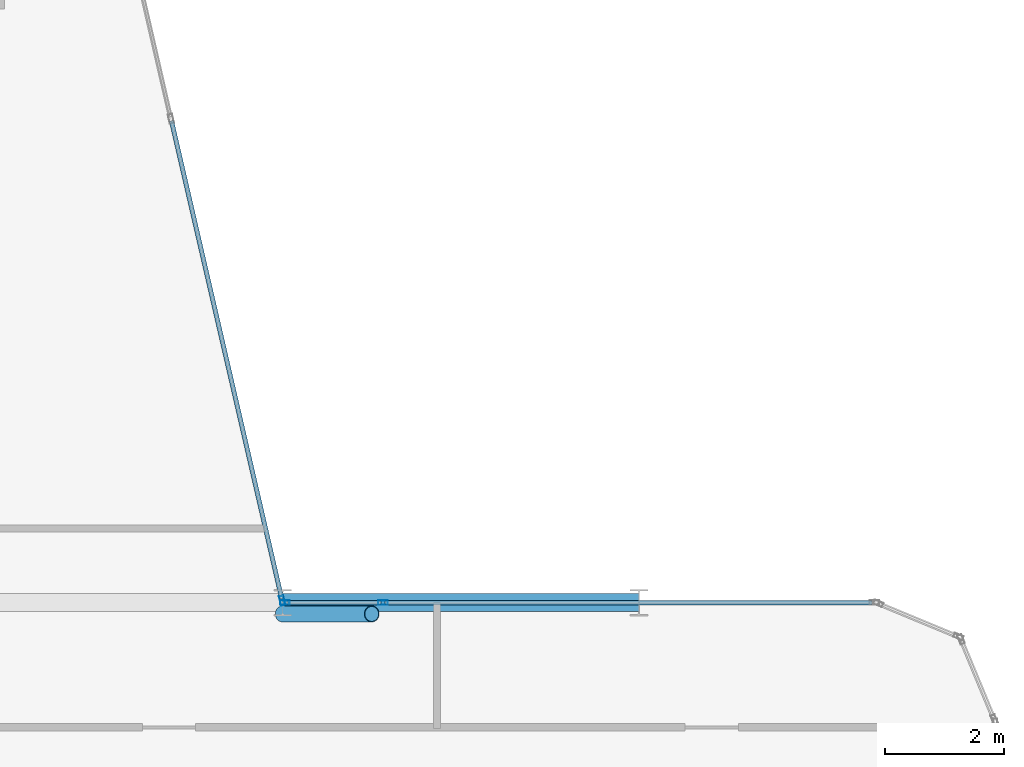
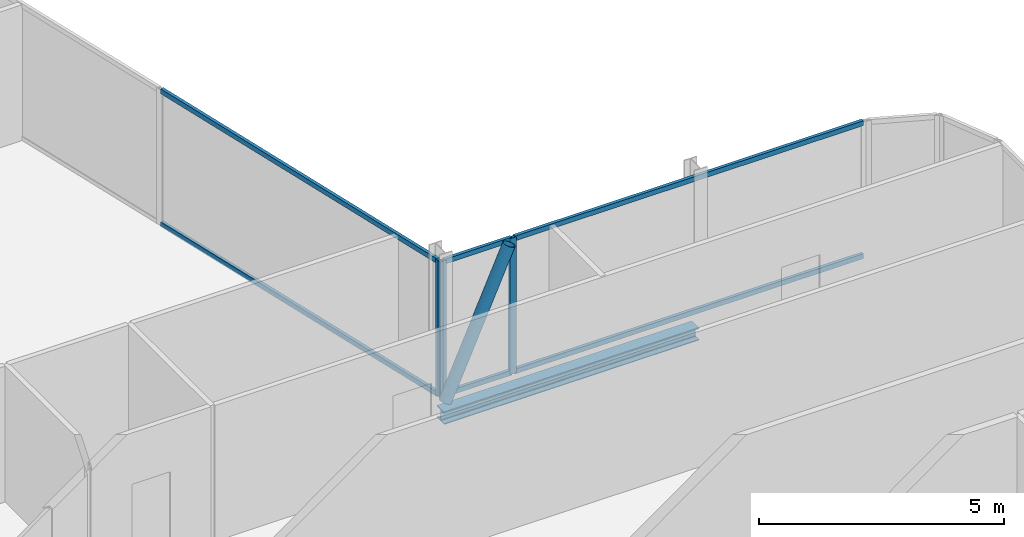
# One storey, part 14 of 29: 10 members, 1 beam, 3 elements without a shape of their own.
"""IFC4 building model written with IfcOpenShell, lengths in metres."""

import ifcopenshell
import ifcopenshell.guid

model = None  # the IFC model being written
_history = None  # IfcOwnerHistory: only IFC2X3 demands one
_inside = {}  # id of a spatial element -> (the spatial element, [elements in it])
_under = {}  # id of a project, library or spatial element -> (it, [spatial elements below it])
_declared = {}  # id of a project -> (the project, [libraries it declares])
_typed = {}  # id of a type object -> (the type object, [elements of that type])
_made_of = {}  # id of a material, layer set ... -> (it, [elements and type objects made of it])


def new_model(schema):
    """Start an empty IFC model of exactly this schema.

    Asked for "IFC4X3", IfcOpenShell would pick the latest addendum, in which some entities
    have other attributes; the version numbers below select the first issue.
    IFC2X3 requires an IfcOwnerHistory on every rooted entity: one is made here for all.
    """
    global model, _history
    if schema == "IFC4X3":
        model = ifcopenshell.file(schema_version=(4, 3, 0, 0))
    else:
        model = ifcopenshell.file(schema=schema)
    _inside.clear()
    _under.clear()
    _declared.clear()
    _typed.clear()
    _made_of.clear()
    _history = None
    if model.schema == "IFC2X3":
        org = make("IfcOrganization", Name="unknown")
        user = make(
            "IfcPersonAndOrganization",
            ThePerson=make("IfcPerson", FamilyName="unknown"),
            TheOrganization=org,
        )
        app = make(
            "IfcApplication",
            ApplicationDeveloper=org,
            Version="unknown",
            ApplicationFullName="unknown",
            ApplicationIdentifier="unknown",
        )
        _history = make(
            "IfcOwnerHistory",
            OwningUser=user,
            OwningApplication=app,
            ChangeAction="ADDED",
            CreationDate=0,
        )
    return model


def make(cls, **values):
    """One entity of the class cls with the attributes given. An attribute that is None is left unset."""
    return model.create_entity(
        cls, **{name: value for name, value in values.items() if value is not None}
    )


def rooted(cls, **values):
    """An entity with a GlobalId (a new one), such as an element, a storey or a relation."""
    return make(cls, GlobalId=ifcopenshell.guid.new(), OwnerHistory=_history, **values)


def si_unit(unit_type, name, prefix=None):
    """IfcSIUnit, for example si_unit("LENGTHUNIT", "METRE", prefix="MILLI")."""
    return make("IfcSIUnit", UnitType=unit_type, Prefix=prefix, Name=name)


def assignment(units):
    """IfcUnitAssignment: the units of a project."""
    return None if units is None else make("IfcUnitAssignment", Units=units)


def point(xyz):
    """IfcCartesianPoint."""
    return None if xyz is None else make("IfcCartesianPoint", Coordinates=xyz)


def direction(xyz):
    """IfcDirection."""
    return None if xyz is None else make("IfcDirection", DirectionRatios=xyz)


def frame(location, z_axis=None, x_axis=None):
    """IfcAxis2Placement3D, a coordinate frame: its origin and axes. An axis left out is left unset."""
    return make(
        "IfcAxis2Placement3D",
        Location=point(location),
        Axis=direction(z_axis),
        RefDirection=direction(x_axis),
    )


def frame_2d(location, x_axis=None):
    """IfcAxis2Placement2D, a coordinate frame in the plane: its origin and x axis."""
    return make(
        "IfcAxis2Placement2D", Location=point(location), RefDirection=direction(x_axis)
    )


def origin():
    """The frame at (0, 0, 0) with its axes left unset."""
    return frame((0.0, 0.0, 0.0))


def origin_2d():
    """The frame at (0, 0) in the plane with its x axis left unset."""
    return frame_2d((0.0, 0.0))


def place(relative_to, where):
    """IfcLocalPlacement: puts the frame where relative to a parent placement (None: the world)."""
    return make(
        "IfcLocalPlacement", PlacementRelTo=relative_to, RelativePlacement=where
    )


def context(
    kind, dimensions, precision=None, world=None, true_north=None, identifier=None
):
    """IfcGeometricRepresentationContext, for example the 3D "Model" context."""
    return make(
        "IfcGeometricRepresentationContext",
        ContextIdentifier=identifier,
        ContextType=kind,
        CoordinateSpaceDimension=dimensions,
        Precision=precision,
        WorldCoordinateSystem=world,
        TrueNorth=true_north,
    )


def subcontext(parent, identifier, kind, view, scale=None):
    """IfcGeometricRepresentationSubContext, for example "Body" below "Model"."""
    return make(
        "IfcGeometricRepresentationSubContext",
        ContextIdentifier=identifier,
        ContextType=kind,
        ParentContext=parent,
        TargetScale=scale,
        TargetView=view,
    )


def project(units=None, contexts=None):
    """IfcProject with its units and contexts."""
    return rooted(
        "IfcProject",
        Name="project",
        RepresentationContexts=contexts,
        UnitsInContext=assignment(units),
    )


def spatial(cls, under=None, at=None, **own):
    """A site, building, storey or space (cls), placed at a placement, below another one or the project."""
    s = rooted(cls, ObjectPlacement=at, **own)
    if under is not None:
        _under.setdefault(under.id(), (under, []))[1].append(s)
    return s


def profile(cls, at=None, kind="AREA", **sizes):
    """A parametric profile (cls). Its sizes go by their IFC names, for example OverallWidth=200.0."""
    return make(cls, ProfileType=kind, Position=at, **sizes)


def hollow_rectangle(**sizes):
    """IfcRectangleHollowProfileDef."""
    return profile("IfcRectangleHollowProfileDef", **sizes)


def hollow_circle(**sizes):
    """IfcCircleHollowProfileDef."""
    return profile("IfcCircleHollowProfileDef", **sizes)


def i_section(**sizes):
    """IfcIShapeProfileDef."""
    return profile("IfcIShapeProfileDef", **sizes)


def extrude(swept, where, along, depth):
    """IfcExtrudedAreaSolid: the profile swept, set in the frame where, extruded along a direction by depth."""
    return make(
        "IfcExtrudedAreaSolid",
        SweptArea=swept,
        Position=where,
        ExtrudedDirection=direction(along),
        Depth=depth,
    )


def shape(context_of_items, identifier, shape_type, items):
    """IfcShapeRepresentation: the items that make up one representation, for example the "Body"."""
    return make(
        "IfcShapeRepresentation",
        ContextOfItems=context_of_items,
        RepresentationIdentifier=identifier,
        RepresentationType=shape_type,
        Items=items,
    )


def material(Name=None, Category=None):
    """IfcMaterial."""
    return make("IfcMaterial", Name=Name, Category=Category)


def layer(
    of_material, thickness, ventilated=None, Name=None, Category=None, Priority=None
):
    """IfcMaterialLayer: one layer of a wall or slab, of a material (None: an air gap)."""
    return make(
        "IfcMaterialLayer",
        Material=of_material,
        LayerThickness=thickness,
        IsVentilated=ventilated,
        Name=Name,
        Category=Category,
        Priority=Priority,
    )


def layer_set(layers, Name=None):
    """IfcMaterialLayerSet."""
    return make("IfcMaterialLayerSet", MaterialLayers=layers, LayerSetName=Name)


def material_profile(
    of_material, cross_section, Name=None, Category=None, Priority=None
):
    """IfcMaterialProfile: a cross section and its material."""
    return make(
        "IfcMaterialProfile",
        Name=Name,
        Material=of_material,
        Profile=cross_section,
        Priority=Priority,
        Category=Category,
    )


def profile_set(profiles, Name=None, composite=None):
    """IfcMaterialProfileSet."""
    return make(
        "IfcMaterialProfileSet",
        Name=Name,
        MaterialProfiles=profiles,
        CompositeProfile=composite,
    )


def made_of(thing, what):
    """Note that an element or type object is made of a material, layer set ...; save() writes the relation."""
    if what is not None:
        _made_of.setdefault(what.id(), (what, []))[1].append(thing)
    return thing


def type_object(cls, material=None, **own):
    """A type object (cls), such as IfcWallType, which elements share."""
    return made_of(rooted(cls, **own), material)


def element(
    cls,
    number,
    at=None,
    inside=None,
    cuts=None,
    type_object=None,
    material=None,
    context=None,
    identifier="Body",
    shape_type=None,
    held_by="IfcProductDefinitionShape",
    body=None,
    shapes=None,
    **own,
):
    """One element of the class cls, such as IfcWall. Its Tag is "e" and its number.

    at: its placement. inside: the storey or other place that contains it. cuts: it is an
    opening in that element (IfcRelVoidsElement). A single representation is given by context,
    identifier, shape_type and body (its items); several are given by shapes. held_by: the class
    of the entity that holds the representations. save() writes the other relations.
    """
    e = rooted(cls, Tag="e%d" % number, ObjectPlacement=at, **own)
    if body is not None:
        shapes = [shape(context, identifier, shape_type, body)]
    if shapes is not None:
        e.Representation = make(held_by, Representations=shapes)
    if inside is not None:
        _inside.setdefault(inside.id(), (inside, []))[1].append(e)
    if cuts is not None:
        rooted(
            "IfcRelVoidsElement", RelatingBuildingElement=cuts, RelatedOpeningElement=e
        )
    if type_object is not None:
        _typed.setdefault(type_object.id(), (type_object, []))[1].append(e)
    return made_of(e, material)


def aggregate(whole, parts):
    """IfcRelAggregates: a whole, such as a stair, and the parts it consists of."""
    return rooted("IfcRelAggregates", RelatingObject=whole, RelatedObjects=parts)


def save(model, path):
    """Write the relations noted so far, then the file.

    IfcRelAggregates (storeys below a building ...), IfcRelContainedInSpatialStructure (elements
    in a storey), IfcRelDefinesByType, IfcRelAssociatesMaterial and IfcRelDeclares: one each for
    every whole, place, type object, material and project.
    """
    for whole, parts in _under.values():
        aggregate(whole, parts)
    for where, things in _inside.values():
        rooted(
            "IfcRelContainedInSpatialStructure",
            RelatedElements=things,
            RelatingStructure=where,
        )
    for kind, things in _typed.values():
        rooted("IfcRelDefinesByType", RelatedObjects=things, RelatingType=kind)
    for what, things in _made_of.values():
        rooted("IfcRelAssociatesMaterial", RelatedObjects=things, RelatingMaterial=what)
    for by, libraries in _declared.values():
        rooted("IfcRelDeclares", RelatingContext=by, RelatedDefinitions=libraries)
    model.write(path)


model = new_model("IFC4")

# Units and contexts
model_context = context("Model", 3, precision=1e-05, world=origin(), true_north=direction((0.0, 1.0)))
body_context = subcontext(model_context, "Body", "Model", "MODEL_VIEW")
ifc_project = project(units=[si_unit("LENGTHUNIT", "METRE"), si_unit("AREAUNIT", "SQUARE_METRE"), si_unit("VOLUMEUNIT", "CUBIC_METRE"), si_unit("PLANEANGLEUNIT", "RADIAN"), si_unit("MASSUNIT", "GRAM", prefix="KILO")], contexts=[model_context])

# Site, building, storey
site_placement = place(None, origin())
site = spatial("IfcSite", under=ifc_project, at=site_placement, CompositionType="ELEMENT")
building_placement = place(site_placement, origin())
building = spatial("IfcBuilding", under=site, at=building_placement, Name="Keshet Zoharim Tower", CompositionType="ELEMENT")
storey_placement = place(building_placement, frame((0.0, 0.0, 214.300048828125)))
storey = spatial("IfcBuildingStorey", under=building, at=storey_placement, Name="L53", CompositionType="ELEMENT", Elevation=214.300048828125)

# Beam
ifc_material_1 = material(Name="Steel S355", Category="steel")
ifc_material_profile_1 = material_profile(ifc_material_1, i_section(OverallWidth=0.300048828125, OverallDepth=0.300048828125, WebThickness=0.010986328125, FlangeThickness=0.01904296875, FilletRadius=0.027099609375, at=origin_2d()), Name="HEB300")
ifc_profile_set_1 = profile_set([ifc_material_profile_1], Name="Steel S355")
beam_type = type_object("IfcBeamType", Name="BM-PRI-HB300", PredefinedType="BEAM", material=ifc_profile_set_1)
beam_placement = place(storey_placement, frame((45.0, 27.89990234375, -0.4599609375), z_axis=(1.0, 0.0, 0.0), x_axis=(0.0, 1.0, 0.0)))
element("IfcBeam", 1, at=beam_placement, inside=storey, type_object=beam_type, Name="L53 Primary Girder X-016", PredefinedType="BEAM", context=body_context, shape_type="SweptSolid", body=[
    extrude(i_section(OverallWidth=0.300048828125, OverallDepth=0.300048828125, WebThickness=0.010986328125, FlangeThickness=0.01904296875, FilletRadius=0.027099609375, at=origin_2d()), origin(), (0.0, 0.0, 1.0), 6.0),
])

# Curtain wall, member
ifc_material_2 = material(Name="Aluminium 6063-T6", Category="aluminium")
ifc_layer = layer(ifc_material_2, 0.139892578125)
ifc_layer_set = layer_set([ifc_layer], Name="Aluminium 6063-T6")
curtain_wall_type = type_object("IfcCurtainWallType", Name="CW-SYS-05", PredefinedType="NOTDEFINED", material=ifc_layer_set)
curtain_wall_1_placement = place(storey_placement, origin())
curtain_wall_1 = element("IfcCurtainWall", 2, at=curtain_wall_1_placement, inside=storey, type_object=curtain_wall_type, Name="L53 Unitised Curtain Wall 19", PredefinedType="NOTDEFINED")
ifc_material_profile_2 = material_profile(ifc_material_2, hollow_rectangle(XDim=0.074951171875, YDim=0.159912109375, WallThickness=0.00390625, at=origin_2d()), Name="MUL-75x160")
ifc_profile_set_2 = profile_set([ifc_material_profile_2], Name="Aluminium 6063-T6")
member_type_1 = type_object("IfcMemberType", Name="CWM-M15", PredefinedType="MULLION", material=ifc_profile_set_2)
member_1_placement = place(storey_placement, frame((44.9921875, 27.93408203125, 0.0), z_axis=(0.0, 0.0, 1.0), x_axis=(0.974393882313, 0.224847864369, 0.0)))
member_1 = element("IfcMember", 3, at=member_1_placement, type_object=member_type_1, Name="CW-05 mullion 4", PredefinedType="MULLION", context=body_context, shape_type="SweptSolid", body=[
    extrude(hollow_rectangle(XDim=0.074951171875, YDim=0.159912109375, WallThickness=0.00390625, at=origin_2d()), origin(), (0.0, 0.0, 1.0), 3.3798828125),
])

# Curtain wall, members
curtain_wall_2_placement = place(storey_placement, origin())
curtain_wall_2 = element("IfcCurtainWall", 4, at=curtain_wall_2_placement, inside=storey, type_object=curtain_wall_type, Name="L53 Unitised Curtain Wall 20", PredefinedType="NOTDEFINED")
member_2_placement = place(storey_placement, frame((45.034912109375, 27.89990234375, 0.0), z_axis=(0.0, 0.0, 1.0), x_axis=(0.0, 1.0, 0.0)))
member_2 = element("IfcMember", 5, at=member_2_placement, type_object=member_type_1, Name="CW-05 mullion 1", PredefinedType="MULLION", context=body_context, shape_type="SweptSolid", body=[
    extrude(hollow_rectangle(XDim=0.074951171875, YDim=0.159912109375, WallThickness=0.00390625, at=origin_2d()), origin(), (0.0, 0.0, 1.0), 3.3798828125),
])
member_3_placement = place(storey_placement, frame((46.689697265625, 27.89990234375, 0.0), z_axis=(0.0, 0.0, 1.0), x_axis=(0.0, 1.0, 0.0)))
member_3 = element("IfcMember", 6, at=member_3_placement, type_object=member_type_1, Name="CW-05 mullion 2", PredefinedType="MULLION", context=body_context, shape_type="SweptSolid", body=[
    extrude(hollow_rectangle(XDim=0.074951171875, YDim=0.159912109375, WallThickness=0.00390625, at=origin_2d()), origin(), (0.0, 0.0, 1.0), 3.3798828125),
])

# Member
ifc_material_profile_3 = material_profile(ifc_material_2, hollow_rectangle(XDim=0.074951171875, YDim=0.1201171875, WallThickness=0.00390625, at=origin_2d()), Name="TRN-75x120")
ifc_profile_set_3 = profile_set([ifc_material_profile_3], Name="Aluminium 6063-T6")
member_type_2 = type_object("IfcMemberType", Name="CWT-T12", PredefinedType="USERDEFINED", material=ifc_profile_set_3)
member_4_placement = place(storey_placement, frame((43.127197265625, 36.015869140625, 0.034912109375), z_axis=(0.224863824467, -0.974390199277, 0.0), x_axis=(0.974390199277, 0.224863824467, 0.0)))
member_4 = element("IfcMember", 7, at=member_4_placement, type_object=member_type_2, Name="CW-05 transom 3.1", ObjectType="TRANSOM", PredefinedType="USERDEFINED", context=body_context, shape_type="SweptSolid", body=[
    extrude(hollow_rectangle(XDim=0.074951171875, YDim=0.1201171875, WallThickness=0.00390625, at=origin_2d()), origin(), (0.0, 0.0, 1.0), 8.259033203125),
])

member_5_placement = place(storey_placement, frame((43.127197265625, 36.015869140625, 3.344970703125), z_axis=(0.224863824467, -0.974390199277, 0.0), x_axis=(0.974390199277, 0.224863824467, 0.0)))
member_5 = element("IfcMember", 8, at=member_5_placement, type_object=member_type_2, Name="CW-05 transom 3.2", ObjectType="TRANSOM", PredefinedType="USERDEFINED", context=body_context, shape_type="SweptSolid", body=[
    extrude(hollow_rectangle(XDim=0.074951171875, YDim=0.1201171875, WallThickness=0.00390625, at=origin_2d()), origin(), (0.0, 0.0, 1.0), 8.259033203125),
])

aggregate(curtain_wall_1, [member_1, member_4, member_5])

member_6_placement = place(storey_placement, frame((45.070068359375, 27.89990234375, 0.034912109375), z_axis=(1.0, 0.0, 0.0), x_axis=(0.0, 1.0, 0.0)))
member_6 = element("IfcMember", 9, at=member_6_placement, type_object=member_type_2, Name="CW-05 transom 1.1", ObjectType="TRANSOM", PredefinedType="USERDEFINED", context=body_context, shape_type="SweptSolid", body=[
    extrude(hollow_rectangle(XDim=0.074951171875, YDim=0.1201171875, WallThickness=0.00390625, at=origin_2d()), origin(), (0.0, 0.0, 1.0), 1.584716796875),
])

member_7_placement = place(storey_placement, frame((45.070068359375, 27.89990234375, 3.344970703125), z_axis=(1.0, 0.0, 0.0), x_axis=(0.0, 1.0, 0.0)))
member_7 = element("IfcMember", 10, at=member_7_placement, type_object=member_type_2, Name="CW-05 transom 1.2", ObjectType="TRANSOM", PredefinedType="USERDEFINED", context=body_context, shape_type="SweptSolid", body=[
    extrude(hollow_rectangle(XDim=0.074951171875, YDim=0.1201171875, WallThickness=0.00390625, at=origin_2d()), origin(), (0.0, 0.0, 1.0), 1.584716796875),
])

aggregate(curtain_wall_2, [member_2, member_3, member_6, member_7])

# Curtain wall, members
curtain_wall_3_placement = place(storey_placement, origin())
curtain_wall_3 = element("IfcCurtainWall", 11, at=curtain_wall_3_placement, inside=storey, type_object=curtain_wall_type, Name="L53 Unitised Curtain Wall 20 Part 2", PredefinedType="NOTDEFINED")
member_8_placement = place(storey_placement, frame((46.724853515625, 27.89990234375, 0.034912109375), z_axis=(1.0, 0.0, 0.0), x_axis=(0.0, 1.0, 0.0)))
member_8 = element("IfcMember", 12, at=member_8_placement, type_object=member_type_2, Name="CW-05 transom 1.1", ObjectType="TRANSOM", PredefinedType="USERDEFINED", context=body_context, shape_type="SweptSolid", body=[
    extrude(hollow_rectangle(XDim=0.074951171875, YDim=0.1201171875, WallThickness=0.00390625, at=origin_2d()), origin(), (0.0, 0.0, 1.0), 8.205078125),
])
member_9_placement = place(storey_placement, frame((46.724853515625, 27.89990234375, 3.344970703125), z_axis=(1.0, 0.0, 0.0), x_axis=(0.0, 1.0, 0.0)))
member_9 = element("IfcMember", 13, at=member_9_placement, type_object=member_type_2, Name="CW-05 transom 1.2", ObjectType="TRANSOM", PredefinedType="USERDEFINED", context=body_context, shape_type="SweptSolid", body=[
    extrude(hollow_rectangle(XDim=0.074951171875, YDim=0.1201171875, WallThickness=0.00390625, at=origin_2d()), origin(), (0.0, 0.0, 1.0), 8.205078125),
])
aggregate(curtain_wall_3, [member_8, member_9])

# Member
ifc_material_profile_4 = material_profile(ifc_material_1, hollow_circle(Radius=0.136474609375, WallThickness=0.010009765625, at=origin_2d()), Name="CHS273x10")
ifc_profile_set_4 = profile_set([ifc_material_profile_4], Name="Steel S355")
member_type_3 = type_object("IfcMemberType", Name="MB-BR-C273", PredefinedType="BRACE", material=ifc_profile_set_4)
member_10_placement = place(storey_placement, frame((45.0, 27.7099609375, 0.0), z_axis=(0.405648336366, 0.0, 0.914029226668), x_axis=(0.0, 1.0, 0.0)))
element("IfcMember", 14, at=member_10_placement, inside=storey, type_object=member_type_3, Name="L53 Perimeter Tube Brace 04", PredefinedType="BRACE", context=body_context, shape_type="SweptSolid", body=[
    extrude(hollow_circle(Radius=0.136474609375, WallThickness=0.010009765625, at=origin_2d()), origin(), (0.0, 0.0, 1.0), 3.69775390625),
])

save(model, "model.ifc")
